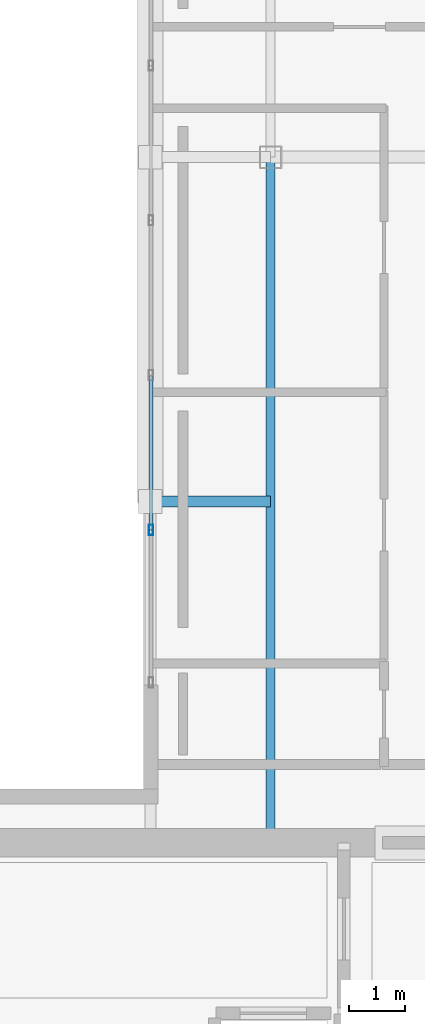
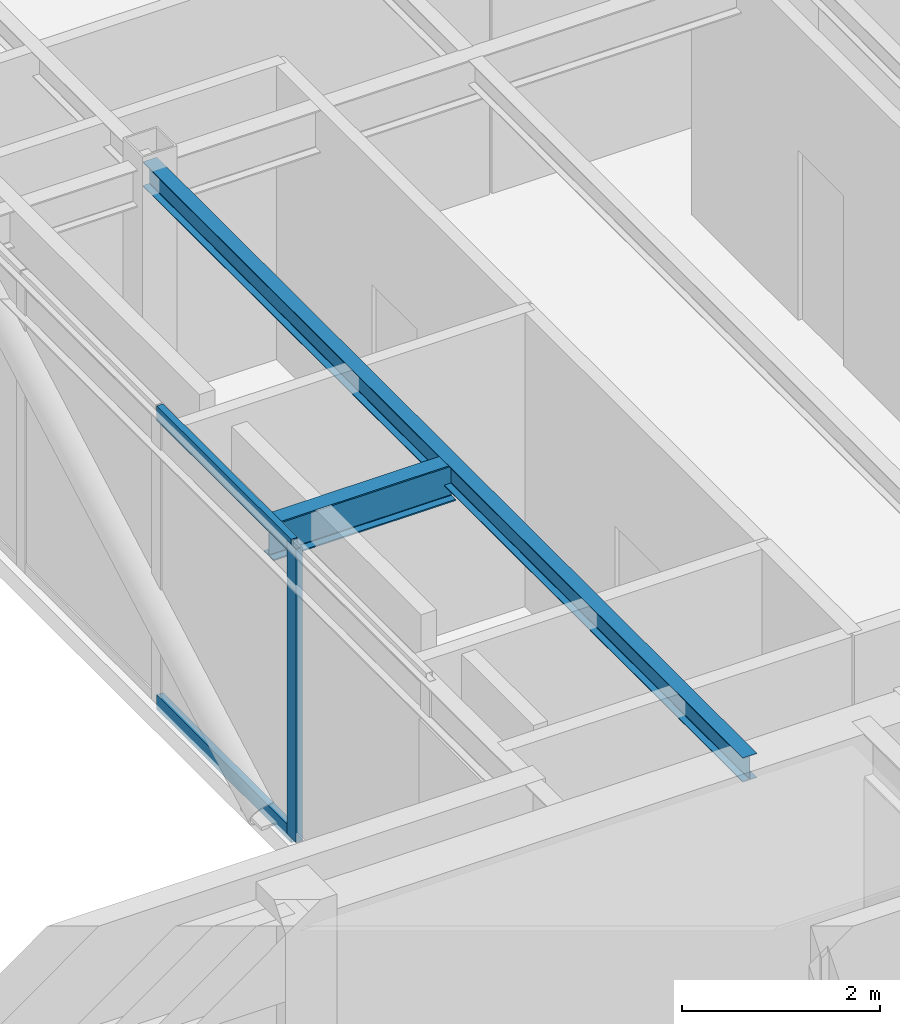
# One storey, part 9 of 18: 3 members, 2 beams, 1 element without a shape of its own.
"""IFC4 building model written with IfcOpenShell, lengths in metres."""

from ifc_helpers import new_model, si_unit, direction, frame, origin, origin_2d, place, context, subcontext, project, spatial, hollow_rectangle, i_section, extrude, material, material_profile, profile_set, type_object, element, aggregate, save


model = new_model("IFC4")

# Units and contexts
model_context = context("Model", 3, precision=1e-05, world=origin(), true_north=direction((0.0, 1.0)))
body_context = subcontext(model_context, "Body", "Model", "MODEL_VIEW")
ifc_project = project(units=[si_unit("LENGTHUNIT", "METRE"), si_unit("AREAUNIT", "SQUARE_METRE"), si_unit("VOLUMEUNIT", "CUBIC_METRE"), si_unit("PLANEANGLEUNIT", "RADIAN"), si_unit("MASSUNIT", "GRAM", prefix="KILO")], contexts=[model_context])

# Site, building, storey
site_placement = place(None, origin())
site = spatial("IfcSite", under=ifc_project, at=site_placement, CompositionType="ELEMENT")
building_placement = place(site_placement, origin())
building = spatial("IfcBuilding", under=site, at=building_placement, Name="Ventersveld Concourse Tower", CompositionType="ELEMENT")
storey_placement = place(building_placement, frame((0.0, 0.0, 341.35009765625)))
storey = spatial("IfcBuildingStorey", under=building, at=storey_placement, Name="L84", CompositionType="ELEMENT", Elevation=341.35009765625)

# Beam
ifc_material_1 = material(Name="Structural steel S355J2", Category="steel")
ifc_material_profile_1 = material_profile(ifc_material_1, i_section(OverallWidth=0.1650390625, OverallDepth=0.303466796875, WebThickness=0.006103515625, FlangeThickness=0.01025390625, FilletRadius=0.0087890625, at=origin_2d()), Name="UB 305x165x40")
ifc_profile_set_1 = profile_set([ifc_material_profile_1], Name="Structural steel S355J2")
beam_type_1 = type_object("IfcBeamType", Name="BM-UB305", PredefinedType="BEAM", material=ifc_profile_set_1)
beam_1_placement = place(storey_placement, frame((36.25, 11.449951171875, 3.478271484375), z_axis=(0.0, 1.0, 0.0), x_axis=(-1.0, 0.0, 0.0)))
element("IfcBeam", 1, at=beam_1_placement, inside=storey, type_object=beam_type_1, Name="L84 N-S Composite Floor Beam South X=36.25", PredefinedType="BEAM", context=body_context, shape_type="SweptSolid", body=[
    extrude(i_section(OverallWidth=0.1650390625, OverallDepth=0.303466796875, WebThickness=0.006103515625, FlangeThickness=0.01025390625, FilletRadius=0.0087890625, at=origin_2d()), origin(), (0.0, 0.0, 1.0), 12.150146484375),
])

# Curtain wall, members
ifc_material_2 = material(Name="Anodised aluminium EN AW-6063-T6", Category="aluminium")
curtain_wall_type = type_object("IfcCurtainWallType", Name="CW-WP-5", PredefinedType="NOTDEFINED", material=ifc_material_2)
curtain_wall_placement = place(storey_placement, origin())
curtain_wall = element("IfcCurtainWall", 2, at=curtain_wall_placement, inside=storey, type_object=curtain_wall_type, Name="L84 L84 Wind Portal Aerodynamic Cheek Curtain Wall", PredefinedType="NOTDEFINED")
ifc_material_profile_2 = material_profile(ifc_material_2, hollow_rectangle(XDim=0.074951171875, YDim=0.179931640625, WallThickness=0.00390625, at=origin_2d()), Name="ALU 180x75x4")
ifc_profile_set_2 = profile_set([ifc_material_profile_2], Name="Anodised aluminium EN AW-6063-T6")
member_type_1 = type_object("IfcMemberType", Name="CWM-180x75", PredefinedType="MULLION", material=ifc_profile_set_2)
member_1_placement = place(storey_placement, frame((34.1298828125, 16.992919921875, 0.0), z_axis=(0.0, 0.0, 1.0), x_axis=(1.0, 0.0, 0.0)))
member_1 = element("IfcMember", 3, at=member_1_placement, type_object=member_type_1, Name="CW-L84-WP-E Mullion 02", PredefinedType="MULLION", context=body_context, shape_type="SweptSolid", body=[
    extrude(hollow_rectangle(XDim=0.074951171875, YDim=0.179931640625, WallThickness=0.00390625, at=origin_2d()), origin(), (0.0, 0.0, 1.0), 3.6298828125),
])
ifc_material_profile_3 = material_profile(ifc_material_2, hollow_rectangle(XDim=0.074951171875, YDim=0.179931640625, WallThickness=0.00390625, at=origin_2d()), Name="ALU 180x75x4")
ifc_profile_set_3 = profile_set([ifc_material_profile_3], Name="Anodised aluminium EN AW-6063-T6")
member_type_2 = type_object("IfcMemberType", Name="CWT-180x75", PredefinedType="USERDEFINED", material=ifc_profile_set_3)
member_2_placement = place(storey_placement, frame((34.1298828125, 17.0029296875, 0.02978515625), z_axis=(0.0, 1.0, 0.0), x_axis=(-1.0, 0.0, 0.0)))
member_2 = element("IfcMember", 4, at=member_2_placement, type_object=member_type_2, Name="CW-L84-WP-E Transom 1-02", ObjectType="TRANSOM", PredefinedType="USERDEFINED", context=body_context, shape_type="SweptSolid", body=[
    extrude(hollow_rectangle(XDim=0.074951171875, YDim=0.179931640625, WallThickness=0.00390625, at=origin_2d()), origin(), (0.0, 0.0, 1.0), 2.72314453125),
])
member_3_placement = place(storey_placement, frame((34.1298828125, 17.0029296875, 3.599853515625), z_axis=(0.0, 1.0, 0.0), x_axis=(-1.0, 0.0, 0.0)))
member_3 = element("IfcMember", 5, at=member_3_placement, type_object=member_type_2, Name="CW-L84-WP-E Transom 2-02", ObjectType="TRANSOM", PredefinedType="USERDEFINED", context=body_context, shape_type="SweptSolid", body=[
    extrude(hollow_rectangle(XDim=0.074951171875, YDim=0.179931640625, WallThickness=0.00390625, at=origin_2d()), origin(), (0.0, 0.0, 1.0), 2.72314453125),
])
aggregate(curtain_wall, [member_1, member_2, member_3])

# Beam
ifc_material_profile_4 = material_profile(ifc_material_1, i_section(OverallWidth=0.19140625, OverallDepth=0.4599609375, WebThickness=0.010009765625, FlangeThickness=0.01611328125, FilletRadius=0.01025390625, at=origin_2d()), Name="UB 457x191x82")
ifc_profile_set_4 = profile_set([ifc_material_profile_4], Name="Structural steel S355J2")
beam_type_2 = type_object("IfcBeamType", Name="SPD-UB457", PredefinedType="SPANDREL", material=ifc_profile_set_4)
beam_2_placement = place(storey_placement, frame((34.1201171875, 17.5, 3.39990234375), z_axis=(1.0, 0.0, 0.0), x_axis=(0.0, 1.0, 0.0)))
element("IfcBeam", 6, at=beam_2_placement, inside=storey, type_object=beam_type_2, Name="L84 Wind Portal East Tie YM", PredefinedType="SPANDREL", context=body_context, shape_type="SweptSolid", body=[
    extrude(i_section(OverallWidth=0.19140625, OverallDepth=0.4599609375, WebThickness=0.010009765625, FlangeThickness=0.01611328125, FilletRadius=0.01025390625, at=origin_2d()), origin(), (0.0, 0.0, 1.0), 2.1298828125),
])

save(model, "model.ifc")
